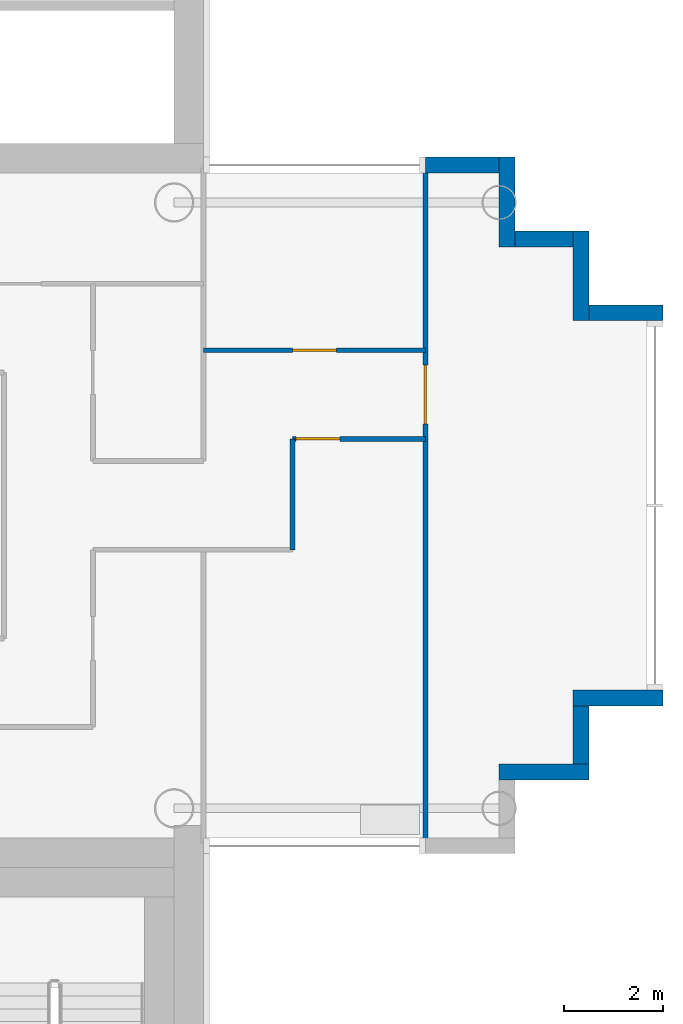
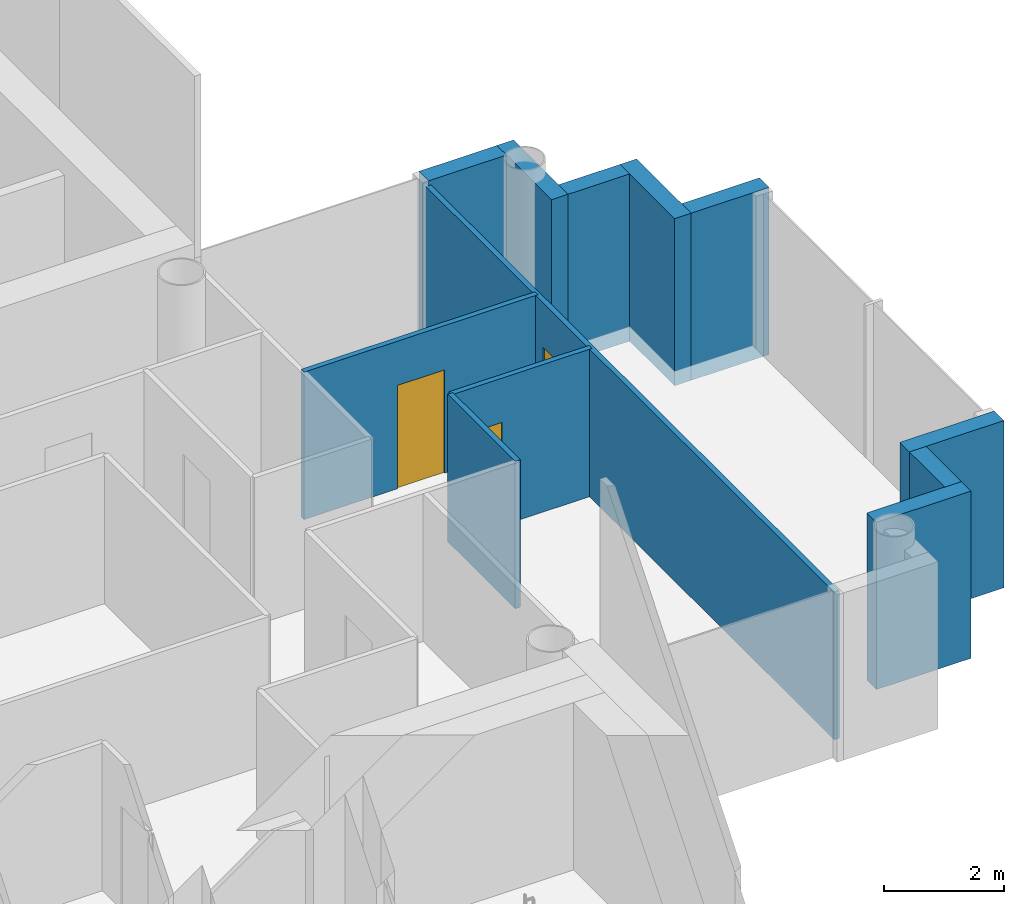
# One storey, part 11 of 18: 12 walls, 3 doors, 3 openings.
"""IFC4 building model written with IfcOpenShell, lengths in metres."""

import ifcopenshell
import ifcopenshell.guid

model = None  # the IFC model being written
_history = None  # IfcOwnerHistory: only IFC2X3 demands one
_inside = {}  # id of a spatial element -> (the spatial element, [elements in it])
_under = {}  # id of a project, library or spatial element -> (it, [spatial elements below it])
_declared = {}  # id of a project -> (the project, [libraries it declares])
_typed = {}  # id of a type object -> (the type object, [elements of that type])
_made_of = {}  # id of a material, layer set ... -> (it, [elements and type objects made of it])


def new_model(schema):
    """Start an empty IFC model of exactly this schema.

    Asked for "IFC4X3", IfcOpenShell would pick the latest addendum, in which some entities
    have other attributes; the version numbers below select the first issue.
    IFC2X3 requires an IfcOwnerHistory on every rooted entity: one is made here for all.
    """
    global model, _history
    if schema == "IFC4X3":
        model = ifcopenshell.file(schema_version=(4, 3, 0, 0))
    else:
        model = ifcopenshell.file(schema=schema)
    _inside.clear()
    _under.clear()
    _declared.clear()
    _typed.clear()
    _made_of.clear()
    _history = None
    if model.schema == "IFC2X3":
        org = make("IfcOrganization", Name="unknown")
        user = make(
            "IfcPersonAndOrganization",
            ThePerson=make("IfcPerson", FamilyName="unknown"),
            TheOrganization=org,
        )
        app = make(
            "IfcApplication",
            ApplicationDeveloper=org,
            Version="unknown",
            ApplicationFullName="unknown",
            ApplicationIdentifier="unknown",
        )
        _history = make(
            "IfcOwnerHistory",
            OwningUser=user,
            OwningApplication=app,
            ChangeAction="ADDED",
            CreationDate=0,
        )
    return model


def make(cls, **values):
    """One entity of the class cls with the attributes given. An attribute that is None is left unset."""
    return model.create_entity(
        cls, **{name: value for name, value in values.items() if value is not None}
    )


def rooted(cls, **values):
    """An entity with a GlobalId (a new one), such as an element, a storey or a relation."""
    return make(cls, GlobalId=ifcopenshell.guid.new(), OwnerHistory=_history, **values)


def si_unit(unit_type, name, prefix=None):
    """IfcSIUnit, for example si_unit("LENGTHUNIT", "METRE", prefix="MILLI")."""
    return make("IfcSIUnit", UnitType=unit_type, Prefix=prefix, Name=name)


def assignment(units):
    """IfcUnitAssignment: the units of a project."""
    return None if units is None else make("IfcUnitAssignment", Units=units)


def point(xyz):
    """IfcCartesianPoint."""
    return None if xyz is None else make("IfcCartesianPoint", Coordinates=xyz)


def direction(xyz):
    """IfcDirection."""
    return None if xyz is None else make("IfcDirection", DirectionRatios=xyz)


def frame(location, z_axis=None, x_axis=None):
    """IfcAxis2Placement3D, a coordinate frame: its origin and axes. An axis left out is left unset."""
    return make(
        "IfcAxis2Placement3D",
        Location=point(location),
        Axis=direction(z_axis),
        RefDirection=direction(x_axis),
    )


def frame_2d(location, x_axis=None):
    """IfcAxis2Placement2D, a coordinate frame in the plane: its origin and x axis."""
    return make(
        "IfcAxis2Placement2D", Location=point(location), RefDirection=direction(x_axis)
    )


def origin():
    """The frame at (0, 0, 0) with its axes left unset."""
    return frame((0.0, 0.0, 0.0))


def place(relative_to, where):
    """IfcLocalPlacement: puts the frame where relative to a parent placement (None: the world)."""
    return make(
        "IfcLocalPlacement", PlacementRelTo=relative_to, RelativePlacement=where
    )


def context(
    kind, dimensions, precision=None, world=None, true_north=None, identifier=None
):
    """IfcGeometricRepresentationContext, for example the 3D "Model" context."""
    return make(
        "IfcGeometricRepresentationContext",
        ContextIdentifier=identifier,
        ContextType=kind,
        CoordinateSpaceDimension=dimensions,
        Precision=precision,
        WorldCoordinateSystem=world,
        TrueNorth=true_north,
    )


def subcontext(parent, identifier, kind, view, scale=None):
    """IfcGeometricRepresentationSubContext, for example "Body" below "Model"."""
    return make(
        "IfcGeometricRepresentationSubContext",
        ContextIdentifier=identifier,
        ContextType=kind,
        ParentContext=parent,
        TargetScale=scale,
        TargetView=view,
    )


def project(units=None, contexts=None):
    """IfcProject with its units and contexts."""
    return rooted(
        "IfcProject",
        Name="project",
        RepresentationContexts=contexts,
        UnitsInContext=assignment(units),
    )


def spatial(cls, under=None, at=None, **own):
    """A site, building, storey or space (cls), placed at a placement, below another one or the project."""
    s = rooted(cls, ObjectPlacement=at, **own)
    if under is not None:
        _under.setdefault(under.id(), (under, []))[1].append(s)
    return s


def profile(cls, at=None, kind="AREA", **sizes):
    """A parametric profile (cls). Its sizes go by their IFC names, for example OverallWidth=200.0."""
    return make(cls, ProfileType=kind, Position=at, **sizes)


def rectangle(**sizes):
    """IfcRectangleProfileDef."""
    return profile("IfcRectangleProfileDef", **sizes)


def extrude(swept, where, along, depth):
    """IfcExtrudedAreaSolid: the profile swept, set in the frame where, extruded along a direction by depth."""
    return make(
        "IfcExtrudedAreaSolid",
        SweptArea=swept,
        Position=where,
        ExtrudedDirection=direction(along),
        Depth=depth,
    )


def shape(context_of_items, identifier, shape_type, items):
    """IfcShapeRepresentation: the items that make up one representation, for example the "Body"."""
    return make(
        "IfcShapeRepresentation",
        ContextOfItems=context_of_items,
        RepresentationIdentifier=identifier,
        RepresentationType=shape_type,
        Items=items,
    )


def material(Name=None, Category=None):
    """IfcMaterial."""
    return make("IfcMaterial", Name=Name, Category=Category)


def layer(
    of_material, thickness, ventilated=None, Name=None, Category=None, Priority=None
):
    """IfcMaterialLayer: one layer of a wall or slab, of a material (None: an air gap)."""
    return make(
        "IfcMaterialLayer",
        Material=of_material,
        LayerThickness=thickness,
        IsVentilated=ventilated,
        Name=Name,
        Category=Category,
        Priority=Priority,
    )


def layer_set(layers, Name=None):
    """IfcMaterialLayerSet."""
    return make("IfcMaterialLayerSet", MaterialLayers=layers, LayerSetName=Name)


def made_of(thing, what):
    """Note that an element or type object is made of a material, layer set ...; save() writes the relation."""
    if what is not None:
        _made_of.setdefault(what.id(), (what, []))[1].append(thing)
    return thing


def type_object(cls, material=None, **own):
    """A type object (cls), such as IfcWallType, which elements share."""
    return made_of(rooted(cls, **own), material)


def element(
    cls,
    number,
    at=None,
    inside=None,
    cuts=None,
    type_object=None,
    material=None,
    context=None,
    identifier="Body",
    shape_type=None,
    held_by="IfcProductDefinitionShape",
    body=None,
    shapes=None,
    **own,
):
    """One element of the class cls, such as IfcWall. Its Tag is "e" and its number.

    at: its placement. inside: the storey or other place that contains it. cuts: it is an
    opening in that element (IfcRelVoidsElement). A single representation is given by context,
    identifier, shape_type and body (its items); several are given by shapes. held_by: the class
    of the entity that holds the representations. save() writes the other relations.
    """
    e = rooted(cls, Tag="e%d" % number, ObjectPlacement=at, **own)
    if body is not None:
        shapes = [shape(context, identifier, shape_type, body)]
    if shapes is not None:
        e.Representation = make(held_by, Representations=shapes)
    if inside is not None:
        _inside.setdefault(inside.id(), (inside, []))[1].append(e)
    if cuts is not None:
        rooted(
            "IfcRelVoidsElement", RelatingBuildingElement=cuts, RelatedOpeningElement=e
        )
    if type_object is not None:
        _typed.setdefault(type_object.id(), (type_object, []))[1].append(e)
    return made_of(e, material)


def fill(opening, filler):
    """IfcRelFillsElement: the door or window that sits in an opening."""
    return rooted(
        "IfcRelFillsElement",
        RelatingOpeningElement=opening,
        RelatedBuildingElement=filler,
    )


def aggregate(whole, parts):
    """IfcRelAggregates: a whole, such as a stair, and the parts it consists of."""
    return rooted("IfcRelAggregates", RelatingObject=whole, RelatedObjects=parts)


def save(model, path):
    """Write the relations noted so far, then the file.

    IfcRelAggregates (storeys below a building ...), IfcRelContainedInSpatialStructure (elements
    in a storey), IfcRelDefinesByType, IfcRelAssociatesMaterial and IfcRelDeclares: one each for
    every whole, place, type object, material and project.
    """
    for whole, parts in _under.values():
        aggregate(whole, parts)
    for where, things in _inside.values():
        rooted(
            "IfcRelContainedInSpatialStructure",
            RelatedElements=things,
            RelatingStructure=where,
        )
    for kind, things in _typed.values():
        rooted("IfcRelDefinesByType", RelatedObjects=things, RelatingType=kind)
    for what, things in _made_of.values():
        rooted("IfcRelAssociatesMaterial", RelatedObjects=things, RelatingMaterial=what)
    for by, libraries in _declared.values():
        rooted("IfcRelDeclares", RelatingContext=by, RelatedDefinitions=libraries)
    model.write(path)


model = new_model("IFC4")

# Units and contexts
model_context = context("Model", 3, precision=1e-05, world=origin(), true_north=direction((0.0, 1.0)))
body_context = subcontext(model_context, "Body", "Model", "MODEL_VIEW")
ifc_project = project(units=[si_unit("LENGTHUNIT", "METRE"), si_unit("AREAUNIT", "SQUARE_METRE"), si_unit("VOLUMEUNIT", "CUBIC_METRE"), si_unit("PLANEANGLEUNIT", "RADIAN"), si_unit("MASSUNIT", "GRAM", prefix="KILO")], contexts=[model_context])

# Site, building, storey
site_placement = place(None, origin())
site = spatial("IfcSite", under=ifc_project, at=site_placement, CompositionType="ELEMENT")
building_placement = place(site_placement, origin())
building = spatial("IfcBuilding", under=site, at=building_placement, Name="Ipe Terrace Towers", CompositionType="ELEMENT")
storey_placement = place(building_placement, frame((0.0, 0.0, 206.199951171875)))
storey = spatial("IfcBuildingStorey", under=building, at=storey_placement, Name="L57", CompositionType="ELEMENT", Elevation=206.199951171875)

# Walls
ifc_material_1 = material(Name="Concrete C40/50 with buff precast cladding", Category="concrete")
ifc_layer_1 = layer(ifc_material_1, 0.320068359375)
ifc_layer_set_1 = layer_set([ifc_layer_1], Name="BUFF CLADDING WALL 320")
wall_type_1 = type_object("IfcWallType", Name="BUFF CLADDING WALL 320", PredefinedType="STANDARD", material=ifc_layer_set_1)
wall_1_placement = place(storey_placement, frame((48.75, -5.409912109375, -0.300048828125), z_axis=(0.0, 0.0, 1.0), x_axis=(1.0, 0.0, 0.0)))
element("IfcWall", 1, at=wall_1_placement, inside=storey, type_object=wall_type_1, Name="T2-W-L57-05a wall", PredefinedType="STANDARD", context=body_context, shape_type="SweptSolid", body=[
    extrude(rectangle(XDim=1.820068359375, YDim=0.320068359375, at=frame_2d((0.91015625, 0.0))), origin(), (0.0, 0.0, 1.0), 3.400146484375),
])
wall_2_placement = place(storey_placement, frame((50.409912109375, -5.25, -0.300048828125), z_axis=(0.0, 0.0, 1.0), x_axis=(0.0, 1.0, 0.0)))
element("IfcWall", 2, at=wall_2_placement, inside=storey, type_object=wall_type_1, Name="T2-W-L57-06a wall", PredefinedType="STANDARD", context=body_context, shape_type="SweptSolid", body=[
    extrude(rectangle(XDim=1.179931640625, YDim=0.320068359375, at=frame_2d((0.58984375, 0.0))), origin(), (0.0, 0.0, 1.0), 3.400146484375),
])
wall_3_placement = place(storey_placement, frame((50.25, -3.909912109375, -0.300048828125), z_axis=(0.0, 0.0, 1.0), x_axis=(1.0, 0.0, 0.0)))
element("IfcWall", 3, at=wall_3_placement, inside=storey, type_object=wall_type_1, Name="T2-W-L57-07a wall", PredefinedType="STANDARD", context=body_context, shape_type="SweptSolid", body=[
    extrude(rectangle(XDim=1.820068359375, YDim=0.320068359375, at=frame_2d((0.91015625, 0.0))), origin(), (0.0, 0.0, 1.0), 3.400146484375),
])
wall_4_placement = place(storey_placement, frame((52.070068359375, 3.909912109375, -0.300048828125), z_axis=(0.0, 0.0, 1.0), x_axis=(-1.0, 0.0, 0.0)))
element("IfcWall", 4, at=wall_4_placement, inside=storey, type_object=wall_type_1, Name="T2-W-L57-09a wall", PredefinedType="STANDARD", context=body_context, shape_type="SweptSolid", body=[
    extrude(rectangle(XDim=1.5, YDim=0.320068359375, at=frame_2d((0.75, 0.0))), origin(), (0.0, 0.0, 1.0), 3.400146484375),
])
wall_5_placement = place(storey_placement, frame((50.409912109375, 3.75, -0.300048828125), z_axis=(0.0, 0.0, 1.0), x_axis=(0.0, 1.0, 0.0)))
element("IfcWall", 5, at=wall_5_placement, inside=storey, type_object=wall_type_1, Name="T2-W-L57-10a wall", PredefinedType="STANDARD", context=body_context, shape_type="SweptSolid", body=[
    extrude(rectangle(XDim=1.820068359375, YDim=0.320068359375, at=frame_2d((0.91015625, 0.0))), origin(), (0.0, 0.0, 1.0), 3.400146484375),
])
wall_6_placement = place(storey_placement, frame((50.25, 5.409912109375, -0.300048828125), z_axis=(0.0, 0.0, 1.0), x_axis=(-1.0, 0.0, 0.0)))
element("IfcWall", 6, at=wall_6_placement, inside=storey, type_object=wall_type_1, Name="T2-W-L57-11a wall", PredefinedType="STANDARD", context=body_context, shape_type="SweptSolid", body=[
    extrude(rectangle(XDim=1.179931640625, YDim=0.320068359375, at=frame_2d((0.58984375, 0.0))), origin(), (0.0, 0.0, 1.0), 3.400146484375),
])
wall_7_placement = place(storey_placement, frame((48.909912109375, 5.25, -0.300048828125), z_axis=(0.0, 0.0, 1.0), x_axis=(0.0, 1.0, 0.0)))
element("IfcWall", 7, at=wall_7_placement, inside=storey, type_object=wall_type_1, Name="T2-W-L57-12a wall", PredefinedType="STANDARD", context=body_context, shape_type="SweptSolid", body=[
    extrude(rectangle(XDim=1.820068359375, YDim=0.320068359375, at=frame_2d((0.91015625, 0.0))), origin(), (0.0, 0.0, 1.0), 3.400146484375),
])
wall_8_placement = place(storey_placement, frame((48.75, 6.909912109375, -0.300048828125), z_axis=(0.0, 0.0, 1.0), x_axis=(-1.0, 0.0, 0.0)))
element("IfcWall", 8, at=wall_8_placement, inside=storey, type_object=wall_type_1, Name="T2-W-L57-13a wall", PredefinedType="STANDARD", context=body_context, shape_type="SweptSolid", body=[
    extrude(rectangle(XDim=1.5, YDim=0.320068359375, at=frame_2d((0.75, 0.0))), origin(), (0.0, 0.0, 1.0), 3.400146484375),
])

# Wall, opening, door
ifc_material_2 = material(Name="Gypsum board partition", Category="plasterboard")
ifc_layer_2 = layer(ifc_material_2, 0.10009765625)
ifc_layer_set_2 = layer_set([ifc_layer_2], Name="Gypsum board partition 100 mm")
wall_type_2 = type_object("IfcWallType", Name="Gypsum board partition 100 mm", PredefinedType="PARTITIONING", material=ifc_layer_set_2)
wall_9_placement = place(storey_placement, frame((47.25, 1.35009765625, 0.0), z_axis=(0.0, 0.0, 1.0), x_axis=(-1.0, 0.0, 0.0)))
wall_9 = element("IfcWall", 9, at=wall_9_placement, inside=storey, type_object=wall_type_2, Name="Gypsum board partition T2 L57 W11", PredefinedType="PARTITIONING", context=body_context, shape_type="SweptSolid", body=[
    extrude(rectangle(XDim=2.699951171875, YDim=0.10009765625, at=frame_2d((1.35009765625, 0.0))), origin(), (0.0, 0.0, 1.0), 3.0),
])
opening_1_placement = place(wall_9_placement, frame((1.72998046875, 0.0, 0.0)))
opening_1 = element("IfcOpeningElement", 10, at=opening_1_placement, cuts=wall_9, Name="Opening T2-Z4E-17", PredefinedType="OPENING", context=body_context, shape_type="SweptSolid", body=[
    extrude(rectangle(XDim=0.89990234375, YDim=2.10009765625, at=frame_2d((0.449951171875, 1.050048828125))), frame((0.0, 0.06005859375, 0.0), z_axis=(0.0, -1.0, 0.0), x_axis=(1.0, 0.0, 0.0)), (0.0, 0.0, 1.0), 0.1201171875),
])
ifc_material_3 = material(Name="Timber door leaf", Category="wood")
door_type_1 = type_object("IfcDoorType", Name="Lounge door 900 x 2100", OperationType="NOTDEFINED", PredefinedType="DOOR", material=ifc_material_3)
door_1_placement = place(opening_1_placement, origin())
door_1 = element("IfcDoor", 11, at=door_1_placement, inside=storey, type_object=door_type_1, Name="Lounge door T2-Z4E-17", OperationType="SINGLE_SWING_LEFT", OverallHeight=2.10009765625, OverallWidth=0.89990234375, PredefinedType="DOOR", context=body_context, shape_type="SweptSolid", body=[
    extrude(rectangle(XDim=0.89990234375, YDim=2.10009765625, at=frame_2d((0.449951171875, 1.050048828125))), frame((0.0, 0.02490234375, 0.0), z_axis=(0.0, -1.0, 0.0), x_axis=(1.0, 0.0, 0.0)), (0.0, 0.0, 1.0), 0.050048828125),
])
fill(opening_1, door_1)

wall_10_placement = place(storey_placement, frame((47.25, 3.14990234375, 0.0), z_axis=(0.0, 0.0, 1.0), x_axis=(-1.0, 0.0, 0.0)))
wall_10 = element("IfcWall", 12, at=wall_10_placement, inside=storey, type_object=wall_type_2, Name="Gypsum board partition T2 L57 W14", PredefinedType="PARTITIONING", context=body_context, shape_type="SweptSolid", body=[
    extrude(rectangle(XDim=4.5, YDim=0.10009765625, at=frame_2d((2.25, 0.0))), origin(), (0.0, 0.0, 1.0), 3.0),
])
opening_2_placement = place(wall_10_placement, frame((1.800048828125, 0.0, 0.0)))
opening_2 = element("IfcOpeningElement", 13, at=opening_2_placement, cuts=wall_10, Name="Opening T2-Z4E-16", PredefinedType="OPENING", context=body_context, shape_type="SweptSolid", body=[
    extrude(rectangle(XDim=0.89990234375, YDim=2.10009765625, at=frame_2d((0.449951171875, 1.050048828125))), frame((0.0, 0.06005859375, 0.0), z_axis=(0.0, -1.0, 0.0), x_axis=(1.0, 0.0, 0.0)), (0.0, 0.0, 1.0), 0.1201171875),
])
door_2_placement = place(opening_2_placement, origin())
door_2 = element("IfcDoor", 14, at=door_2_placement, inside=storey, type_object=door_type_1, Name="Lounge door T2-Z4E-16", OperationType="SINGLE_SWING_RIGHT", OverallHeight=2.10009765625, OverallWidth=0.89990234375, PredefinedType="DOOR", context=body_context, shape_type="SweptSolid", body=[
    extrude(rectangle(XDim=0.89990234375, YDim=2.10009765625, at=frame_2d((0.449951171875, 1.050048828125))), frame((0.0, 0.02490234375, 0.0), z_axis=(0.0, -1.0, 0.0), x_axis=(1.0, 0.0, 0.0)), (0.0, 0.0, 1.0), 0.050048828125),
])
fill(opening_2, door_2)

wall_11_placement = place(storey_placement, frame((47.25, -6.85009765625, 0.0), z_axis=(0.0, 0.0, 1.0), x_axis=(0.0, 1.0, 0.0)))
wall_11 = element("IfcWall", 15, at=wall_11_placement, inside=storey, type_object=wall_type_2, Name="Gypsum board partition T2 L57 W17", PredefinedType="PARTITIONING", context=body_context, shape_type="SweptSolid", body=[
    extrude(rectangle(XDim=13.7001953125, YDim=0.10009765625, at=frame_2d((6.85009765625, 0.0))), origin(), (0.0, 0.0, 1.0), 3.0),
])
opening_3_placement = place(wall_11_placement, frame((8.5, 0.0, 0.0)))
opening_3 = element("IfcOpeningElement", 16, at=opening_3_placement, cuts=wall_11, Name="Opening T2-Z4E-18", PredefinedType="OPENING", context=body_context, shape_type="SweptSolid", body=[
    extrude(rectangle(XDim=1.199951171875, YDim=2.10009765625, at=frame_2d((0.60009765625, 1.050048828125))), frame((0.0, 0.06005859375, 0.0), z_axis=(0.0, -1.0, 0.0), x_axis=(1.0, 0.0, 0.0)), (0.0, 0.0, 1.0), 0.1201171875),
])
ifc_material_4 = material(Name="Timber door leaf", Category="wood")
door_type_2 = type_object("IfcDoorType", Name="Lounge door 1200 x 2100", OperationType="NOTDEFINED", PredefinedType="DOOR", material=ifc_material_4)
door_3_placement = place(opening_3_placement, origin())
door_3 = element("IfcDoor", 17, at=door_3_placement, inside=storey, type_object=door_type_2, Name="Lounge door T2-Z4E-18", OperationType="SINGLE_SWING_RIGHT", OverallHeight=2.10009765625, OverallWidth=1.199951171875, PredefinedType="DOOR", context=body_context, shape_type="SweptSolid", body=[
    extrude(rectangle(XDim=1.199951171875, YDim=2.10009765625, at=frame_2d((0.60009765625, 1.050048828125))), frame((0.0, 0.02490234375, 0.0), z_axis=(0.0, -1.0, 0.0), x_axis=(1.0, 0.0, 0.0)), (0.0, 0.0, 1.0), 0.050048828125),
])
fill(opening_3, door_3)

# Wall
wall_12_placement = place(storey_placement, frame((44.550048828125, -0.89990234375, 0.0), z_axis=(0.0, 0.0, 1.0), x_axis=(0.0, 1.0, 0.0)))
element("IfcWall", 18, at=wall_12_placement, inside=storey, type_object=wall_type_2, Name="Gypsum board partition T2 L57 W18", PredefinedType="PARTITIONING", context=body_context, shape_type="SweptSolid", body=[
    extrude(rectangle(XDim=2.25, YDim=0.10009765625, at=frame_2d((1.125, 0.0))), origin(), (0.0, 0.0, 1.0), 3.0),
])

save(model, "model.ifc")
